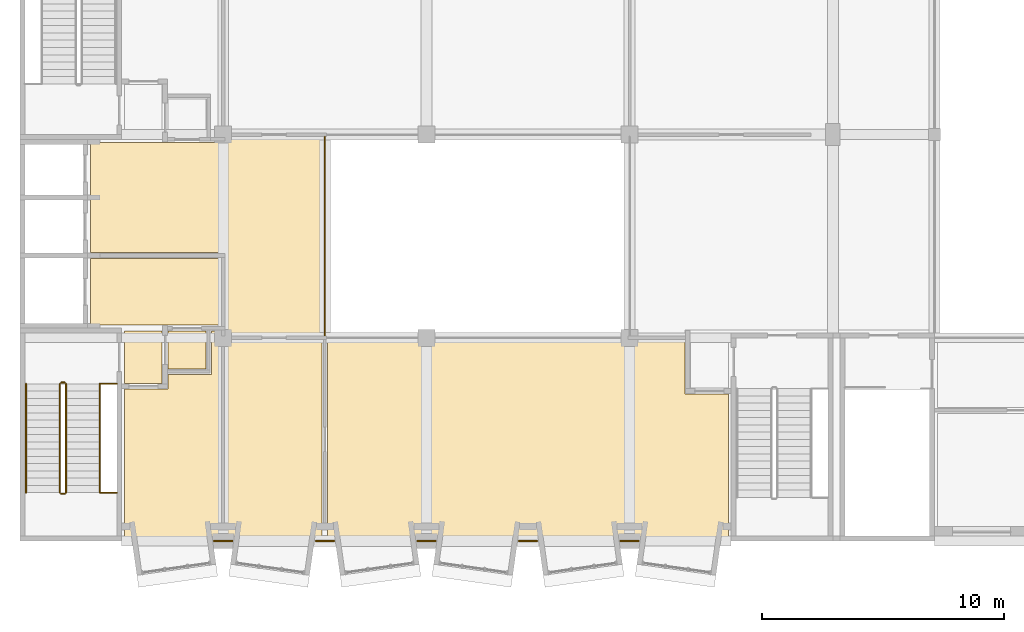
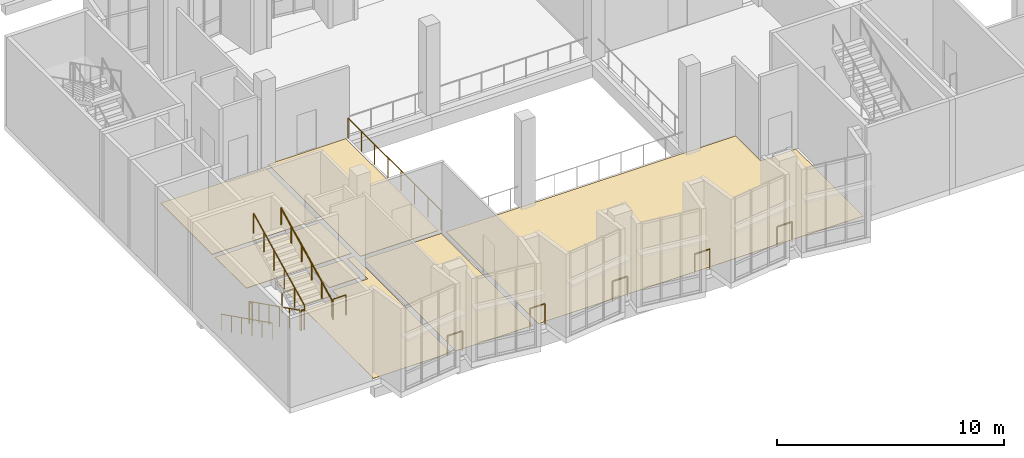
# One storey, part 84 of 100: 14 railings, 8 coverings.
"""IFC4 building model written with IfcOpenShell, lengths in metres."""

from ifc_helpers import new_model, si_unit, direction, frame, origin, origin_2d, place, context, subcontext, project, spatial, polyline, circle, outline, extrude, material, layer, layer_set, type_object, element, save


model = new_model("IFC4")

# Units and contexts
model_context = context("Model", 3, precision=1e-05, world=origin(), true_north=direction((0.0, 1.0)))
body_context = subcontext(model_context, "Body", "Model", "MODEL_VIEW")
ifc_project = project(units=[si_unit("LENGTHUNIT", "METRE"), si_unit("AREAUNIT", "SQUARE_METRE"), si_unit("VOLUMEUNIT", "CUBIC_METRE"), si_unit("PLANEANGLEUNIT", "RADIAN"), si_unit("MASSUNIT", "GRAM", prefix="KILO")], contexts=[model_context])

# Site, building, storey
site_placement = place(None, origin())
site = spatial("IfcSite", under=ifc_project, at=site_placement, CompositionType="ELEMENT")
building_placement = place(site_placement, origin())
building = spatial("IfcBuilding", under=site, at=building_placement, Name="Kiln Court Media Centre", CompositionType="ELEMENT")
storey_placement = place(building_placement, frame((0.0, 0.0, 15.0)))
storey = spatial("IfcBuildingStorey", under=building, at=storey_placement, Name="L03", CompositionType="ELEMENT", Elevation=15.0)

# Coverings
ifc_material_1 = material(Name="Carpet tile")
ifc_layer_1 = layer(ifc_material_1, 0.014892578125)
ifc_layer_set_1 = layer_set([ifc_layer_1], Name="Carpet tile floor finish 15")
covering_type_1 = type_object("IfcCoveringType", Name="Carpet tile floor finish 15", PredefinedType="FLOORING", material=ifc_layer_set_1)
covering_1_placement = place(storey_placement, origin())
element("IfcCovering", 1, at=covering_1_placement, inside=storey, type_object=covering_type_1, Name="Quiet Study Carrels floor finish", PredefinedType="FLOORING", context=body_context, shape_type="SweptSolid", body=[
    extrude(outline(polyline([(8.52001953125, 0.1201171875), (12.47998046875, 0.1201171875), (12.47998046875, 8.280029296875), (8.52001953125, 8.280029296875), (8.52001953125, 0.1201171875)])), origin(), (0.0, 0.0, 1.0), 0.014892578125),
])
covering_2_placement = place(storey_placement, origin())
element("IfcCovering", 2, at=covering_2_placement, inside=storey, type_object=covering_type_1, Name="Social Sciences Reading Room floor finish", PredefinedType="FLOORING", context=body_context, shape_type="SweptSolid", body=[
    extrude(outline(polyline([(29.280029296875, 0.1201171875), (29.280029296875, 6.080078125), (27.47998046875, 6.080078125), (27.47998046875, 8.280029296875), (12.719970703125, 8.280029296875), (12.719970703125, 0.1201171875), (29.280029296875, 0.1201171875)])), origin(), (0.0, 0.0, 1.0), 0.014892578125),
])
ifc_material_2 = material(Name="Ceramic tile")
ifc_layer_2 = layer(ifc_material_2, 0.011962890625)
ifc_layer_set_2 = layer_set([ifc_layer_2], Name="Ceramic tile floor finish 12")
covering_type_2 = type_object("IfcCoveringType", Name="Ceramic tile floor finish 12", PredefinedType="FLOORING", material=ifc_layer_set_2)
covering_3_placement = place(storey_placement, origin())
element("IfcCovering", 3, at=covering_3_placement, inside=storey, type_object=covering_type_2, Name="Toilets and Accessible WC floor finish", PredefinedType="FLOORING", context=body_context, shape_type="SweptSolid", body=[
    extrude(outline(polyline([(8.280029296875, 8.679931640625), (7.919921875, 8.679931640625), (7.919921875, 6.8798828125), (6.1201171875, 6.8798828125), (6.1201171875, 6.280029296875), (4.320068359375, 6.280029296875), (4.320068359375, 0.1201171875), (8.280029296875, 0.1201171875), (8.280029296875, 8.679931640625)])), origin(), (0.0, 0.0, 1.0), 0.011962890625),
])
ifc_material_3 = material(Name="Terrazzo")
ifc_layer_3 = layer(ifc_material_3, 0.02490234375)
ifc_layer_set_3 = layer_set([ifc_layer_3], Name="Polished terrazzo floor finish 25")
covering_type_3 = type_object("IfcCoveringType", Name="Polished terrazzo floor finish 25", PredefinedType="FLOORING", material=ifc_layer_set_3)
covering_4_placement = place(storey_placement, origin())
element("IfcCovering", 4, at=covering_4_placement, inside=storey, type_object=covering_type_3, Name="Stair 1 Vestibule floor finish", PredefinedType="FLOORING", context=body_context, shape_type="SweptSolid", body=[
    extrude(outline(polyline([(4.320068359375, 6.52001953125), (5.8798828125, 6.52001953125), (5.8798828125, 8.679931640625), (4.320068359375, 8.679931640625), (4.320068359375, 6.52001953125)])), origin(), (0.0, 0.0, 1.0), 0.02490234375),
])
covering_5_placement = place(storey_placement, origin())
element("IfcCovering", 5, at=covering_5_placement, inside=storey, type_object=covering_type_3, Name="Wheelchair Refuge floor finish", PredefinedType="FLOORING", context=body_context, shape_type="SweptSolid", body=[
    extrude(outline(polyline([(6.1201171875, 7.1201171875), (7.679931640625, 7.1201171875), (7.679931640625, 8.679931640625), (6.1201171875, 8.679931640625), (6.1201171875, 7.1201171875)])), origin(), (0.0, 0.0, 1.0), 0.02490234375),
])
covering_6_placement = place(storey_placement, origin())
element("IfcCovering", 6, at=covering_6_placement, inside=storey, type_object=covering_type_3, Name="Gallery Landing floor finish", PredefinedType="FLOORING", context=body_context, shape_type="SweptSolid", body=[
    extrude(outline(polyline([(8.52001953125, 8.52001953125), (12.47998046875, 8.52001953125), (12.47998046875, 16.679931640625), (8.52001953125, 16.679931640625), (8.52001953125, 8.52001953125)])), origin(), (0.0, 0.0, 1.0), 0.02490234375),
])
covering_7_placement = place(storey_placement, origin())
element("IfcCovering", 7, at=covering_7_placement, inside=storey, type_object=covering_type_3, Name="Fire-fighting Lift Lobby floor finish", PredefinedType="FLOORING", context=body_context, shape_type="SweptSolid", body=[
    extrude(outline(polyline([(2.919921875, 8.919921875), (8.280029296875, 8.919921875), (8.280029296875, 11.679931640625), (2.919921875, 11.679931640625), (2.919921875, 8.919921875)])), origin(), (0.0, 0.0, 1.0), 0.02490234375),
])
covering_8_placement = place(storey_placement, origin())
element("IfcCovering", 8, at=covering_8_placement, inside=storey, type_object=covering_type_3, Name="Passenger Lift Lobby floor finish", PredefinedType="FLOORING", context=body_context, shape_type="SweptSolid", body=[
    extrude(outline(polyline([(2.919921875, 11.919921875), (8.280029296875, 11.919921875), (8.280029296875, 16.47998046875), (2.919921875, 16.47998046875), (2.919921875, 11.919921875)])), origin(), (0.0, 0.0, 1.0), 0.02490234375),
])

# Railings
ifc_material_4 = material(Name="Steel S275", Category="steel")
railing_type_1 = type_object("IfcRailingType", Name="Steel S275 balustrade guard 1100", PredefinedType="GUARDRAIL", material=ifc_material_4)
railing_1_placement = place(storey_placement, frame((12.60009765625, 16.705078125, 0.0)))
element("IfcRailing", 9, at=railing_1_placement, inside=storey, type_object=railing_type_1, Name="L03 void edge guard", PredefinedType="GUARDRAIL", context=body_context, shape_type="SweptSolid", body=[
    extrude(circle(Radius=0.02392578125, at=origin_2d()), frame((0.0, 0.0, 1.076171875), z_axis=(0.0, -1.0, 0.0), x_axis=(1.0, 0.0, 0.0)), (0.0, 0.0, 1.0), 8.2099609375),
    extrude(circle(Radius=0.02099609375, at=origin_2d()), origin(), (0.0, 0.0, 1.0), 1.052001953125),
    extrude(circle(Radius=0.02099609375, at=origin_2d()), frame((0.0, -1.1728515625, 0.0)), (0.0, 0.0, 1.0), 1.052001953125),
    extrude(circle(Radius=0.02099609375, at=origin_2d()), frame((0.0, -2.345703125, 0.0)), (0.0, 0.0, 1.0), 1.052001953125),
    extrude(circle(Radius=0.02099609375, at=origin_2d()), frame((0.0, -3.5185546875, 0.0)), (0.0, 0.0, 1.0), 1.052001953125),
    extrude(circle(Radius=0.02099609375, at=origin_2d()), frame((0.0, -4.69140625, 0.0)), (0.0, 0.0, 1.0), 1.052001953125),
    extrude(circle(Radius=0.02099609375, at=origin_2d()), frame((0.0, -5.8642578125, 0.0)), (0.0, 0.0, 1.0), 1.052001953125),
    extrude(circle(Radius=0.02099609375, at=origin_2d()), frame((0.0, -7.037109375, 0.0)), (0.0, 0.0, 1.0), 1.052001953125),
    extrude(circle(Radius=0.02099609375, at=origin_2d()), frame((0.0, -8.2099609375, 0.0)), (0.0, 0.0, 1.0), 1.052001953125),
])
for number, where, name in (
    (10, (25.582275390625, 0.0, 0.0), "L03 slab notch guard"),
    (11, (21.38232421875, 0.0, 0.0), "L03 slab notch guard"),
    (12, (17.182373046875, 0.0, 0.0), "L03 slab notch guard"),
    (13, (12.982421875, 0.0, 0.0), "L03 slab notch guard"),
    (14, (8.7822265625, 0.0, 0.0), "L03 slab notch guard"),
):
    element("IfcRailing", number, at=place(storey_placement, frame(where)), inside=storey, type_object=railing_type_1, Name=name, PredefinedType="GUARDRAIL", context=body_context, shape_type="SweptSolid", body=[
        extrude(circle(Radius=0.02392578125, at=origin_2d()), frame((0.0, 0.0, 1.076171875), z_axis=(-1.0, 0.0, 0.0), x_axis=(0.0, -1.0, 0.0)), (0.0, 0.0, 1.0), 0.7646484375),
        extrude(circle(Radius=0.02099609375, at=origin_2d()), origin(), (0.0, 0.0, 1.0), 1.052001953125),
        extrude(circle(Radius=0.02099609375, at=origin_2d()), frame((-0.7646484375, 0.0, 0.0)), (0.0, 0.0, 1.0), 1.052001953125),
    ])
ifc_material_5 = material(Name="Steel S275", Category="steel")
railing_type_2 = type_object("IfcRailingType", Name="Steel S275 stair guard 1100", PredefinedType="GUARDRAIL", material=ifc_material_5)
railing_2_placement = place(storey_placement, frame((1.64990234375, 6.5, 0.14990234375)))
element("IfcRailing", 15, at=railing_2_placement, inside=storey, type_object=railing_type_2, Name="ST-01 stair guard", PredefinedType="GUARDRAIL", context=body_context, shape_type="SweptSolid", body=[
    extrude(circle(Radius=0.02392578125, at=origin_2d()), frame((0.0, 0.0, 1.076171875), z_axis=(0.0, -0.894427191, 0.4472135955), x_axis=(1.0, 0.0, 0.0)), (0.0, 0.0, 1.0), 5.03125),
    extrude(circle(Radius=0.02099609375, at=origin_2d()), origin(), (0.0, 0.0, 1.0), 1.052001953125),
    extrude(circle(Radius=0.02099609375, at=origin_2d()), frame((0.0, -0.89990234375, 0.449951171875)), (0.0, 0.0, 1.0), 1.052001953125),
    extrude(circle(Radius=0.02099609375, at=origin_2d()), frame((0.0, -1.800048828125, 0.89990234375)), (0.0, 0.0, 1.0), 1.052001953125),
    extrude(circle(Radius=0.02099609375, at=origin_2d()), frame((0.0, -2.699951171875, 1.35009765625)), (0.0, 0.0, 1.0), 1.052001953125),
    extrude(circle(Radius=0.02099609375, at=origin_2d()), frame((0.0, -3.60009765625, 1.800048828125)), (0.0, 0.0, 1.0), 1.052001953125),
    extrude(circle(Radius=0.02099609375, at=origin_2d()), frame((0.0, -4.5, 2.25)), (0.0, 0.0, 1.0), 1.052001953125),
])
railing_3_placement = place(storey_placement, frame((1.699951171875, 1.949951171875, 2.39990234375)))
element("IfcRailing", 16, at=railing_3_placement, inside=storey, type_object=railing_type_2, Name="ST-01 stair guard", PredefinedType="GUARDRAIL", context=body_context, shape_type="SweptSolid", body=[
    extrude(circle(Radius=0.02392578125, at=origin_2d()), frame((0.0, 0.0, 1.076171875), z_axis=(1.0, 0.0, 0.0), x_axis=(0.0, 1.0, 0.0)), (0.0, 0.0, 1.0), 0.150146484375),
    extrude(circle(Radius=0.02099609375, at=origin_2d()), origin(), (0.0, 0.0, 1.0), 1.052001953125),
    extrude(circle(Radius=0.02099609375, at=origin_2d()), frame((0.150146484375, 0.0, 0.0)), (0.0, 0.0, 1.0), 1.052001953125),
])
railing_4_placement = place(storey_placement, frame((1.89990234375, 2.0, 2.550048828125)))
element("IfcRailing", 17, at=railing_4_placement, inside=storey, type_object=railing_type_2, Name="ST-01 stair guard", PredefinedType="GUARDRAIL", context=body_context, shape_type="SweptSolid", body=[
    extrude(circle(Radius=0.02392578125, at=origin_2d()), frame((0.0, 0.0, 1.076171875), z_axis=(0.0, 0.894427191, 0.4472135955), x_axis=(-1.0, 0.0, 0.0)), (0.0, 0.0, 1.0), 5.03125),
    extrude(circle(Radius=0.02099609375, at=origin_2d()), origin(), (0.0, 0.0, 1.0), 1.052001953125),
    extrude(circle(Radius=0.02099609375, at=origin_2d()), frame((0.0, 0.89990234375, 0.449951171875)), (0.0, 0.0, 1.0), 1.052001953125),
    extrude(circle(Radius=0.02099609375, at=origin_2d()), frame((0.0, 1.800048828125, 0.89990234375)), (0.0, 0.0, 1.0), 1.052001953125),
    extrude(circle(Radius=0.02099609375, at=origin_2d()), frame((0.0, 2.699951171875, 1.35009765625)), (0.0, 0.0, 1.0), 1.052001953125),
    extrude(circle(Radius=0.02099609375, at=origin_2d()), frame((0.0, 3.60009765625, 1.800048828125)), (0.0, 0.0, 1.0), 1.052001953125),
    extrude(circle(Radius=0.02099609375, at=origin_2d()), frame((0.0, 4.5, 2.25)), (0.0, 0.0, 1.0), 1.052001953125),
])
railing_5_placement = place(storey_placement, frame((1.699951171875, 6.550048828125, 0.0)))
element("IfcRailing", 18, at=railing_5_placement, inside=storey, type_object=railing_type_2, Name="ST-01 stair guard", PredefinedType="GUARDRAIL", context=body_context, shape_type="SweptSolid", body=[
    extrude(circle(Radius=0.02392578125, at=origin_2d()), frame((0.0, 0.0, 1.076171875), z_axis=(1.0, 0.0, 0.0), x_axis=(0.0, 1.0, 0.0)), (0.0, 0.0, 1.0), 0.150146484375),
    extrude(circle(Radius=0.02099609375, at=origin_2d()), origin(), (0.0, 0.0, 1.0), 1.052001953125),
    extrude(circle(Radius=0.02099609375, at=origin_2d()), frame((0.150146484375, 0.0, 0.0)), (0.0, 0.0, 1.0), 1.052001953125),
])
for number, where, name in (
    (19, (3.35009765625, 2.0, 2.39990234375), "ST-01 landing edge guard"),
    (20, (3.35009765625, 6.5, 0.0), "ST-01 landing edge guard"),
):
    element("IfcRailing", number, at=place(storey_placement, frame(where)), inside=storey, type_object=railing_type_2, Name=name, PredefinedType="GUARDRAIL", context=body_context, shape_type="SweptSolid", body=[
        extrude(circle(Radius=0.02392578125, at=origin_2d()), frame((0.0, 0.0, 1.076171875), z_axis=(1.0, 0.0, 0.0), x_axis=(0.0, 1.0, 0.0)), (0.0, 0.0, 1.0), 0.64990234375),
        extrude(circle(Radius=0.02099609375, at=origin_2d()), origin(), (0.0, 0.0, 1.0), 1.052001953125),
        extrude(circle(Radius=0.02099609375, at=origin_2d()), frame((0.64990234375, 0.0, 0.0)), (0.0, 0.0, 1.0), 1.052001953125),
    ])
ifc_material_6 = material(Name="Steel S275", Category="steel")
railing_type_3 = type_object("IfcRailingType", Name="Steel S275 stair handrail 900", PredefinedType="HANDRAIL", material=ifc_material_6)
railing_6_placement = place(storey_placement, frame((0.25, 6.5, 0.14990234375)))
element("IfcRailing", 21, at=railing_6_placement, inside=storey, type_object=railing_type_3, Name="ST-01 stair handrail", PredefinedType="HANDRAIL", context=body_context, shape_type="SweptSolid", body=[
    extrude(circle(Radius=0.02392578125, at=origin_2d()), frame((0.0, 0.0, 0.8759765625), z_axis=(0.0, -0.894427191, 0.4472135955), x_axis=(1.0, 0.0, 0.0)), (0.0, 0.0, 1.0), 5.03125),
    extrude(circle(Radius=0.02099609375, at=origin_2d()), origin(), (0.0, 0.0, 1.0), 0.851806640625),
    extrude(circle(Radius=0.02099609375, at=origin_2d()), frame((0.0, -0.89990234375, 0.449951171875)), (0.0, 0.0, 1.0), 0.851806640625),
    extrude(circle(Radius=0.02099609375, at=origin_2d()), frame((0.0, -1.800048828125, 0.89990234375)), (0.0, 0.0, 1.0), 0.851806640625),
    extrude(circle(Radius=0.02099609375, at=origin_2d()), frame((0.0, -2.699951171875, 1.35009765625)), (0.0, 0.0, 1.0), 0.851806640625),
    extrude(circle(Radius=0.02099609375, at=origin_2d()), frame((0.0, -3.60009765625, 1.800048828125)), (0.0, 0.0, 1.0), 0.851806640625),
    extrude(circle(Radius=0.02099609375, at=origin_2d()), frame((0.0, -4.5, 2.25)), (0.0, 0.0, 1.0), 0.851806640625),
])
railing_7_placement = place(storey_placement, frame((3.300048828125, 2.0, 2.550048828125)))
element("IfcRailing", 22, at=railing_7_placement, inside=storey, type_object=railing_type_3, Name="ST-01 stair handrail", PredefinedType="HANDRAIL", context=body_context, shape_type="SweptSolid", body=[
    extrude(circle(Radius=0.02392578125, at=origin_2d()), frame((0.0, 0.0, 0.8759765625), z_axis=(0.0, 0.894427191, 0.4472135955), x_axis=(-1.0, 0.0, 0.0)), (0.0, 0.0, 1.0), 5.03125),
    extrude(circle(Radius=0.02099609375, at=origin_2d()), origin(), (0.0, 0.0, 1.0), 0.851806640625),
    extrude(circle(Radius=0.02099609375, at=origin_2d()), frame((0.0, 0.89990234375, 0.449951171875)), (0.0, 0.0, 1.0), 0.851806640625),
    extrude(circle(Radius=0.02099609375, at=origin_2d()), frame((0.0, 1.800048828125, 0.89990234375)), (0.0, 0.0, 1.0), 0.851806640625),
    extrude(circle(Radius=0.02099609375, at=origin_2d()), frame((0.0, 2.699951171875, 1.35009765625)), (0.0, 0.0, 1.0), 0.851806640625),
    extrude(circle(Radius=0.02099609375, at=origin_2d()), frame((0.0, 3.60009765625, 1.800048828125)), (0.0, 0.0, 1.0), 0.851806640625),
    extrude(circle(Radius=0.02099609375, at=origin_2d()), frame((0.0, 4.5, 2.25)), (0.0, 0.0, 1.0), 0.851806640625),
])

save(model, "model.ifc")
